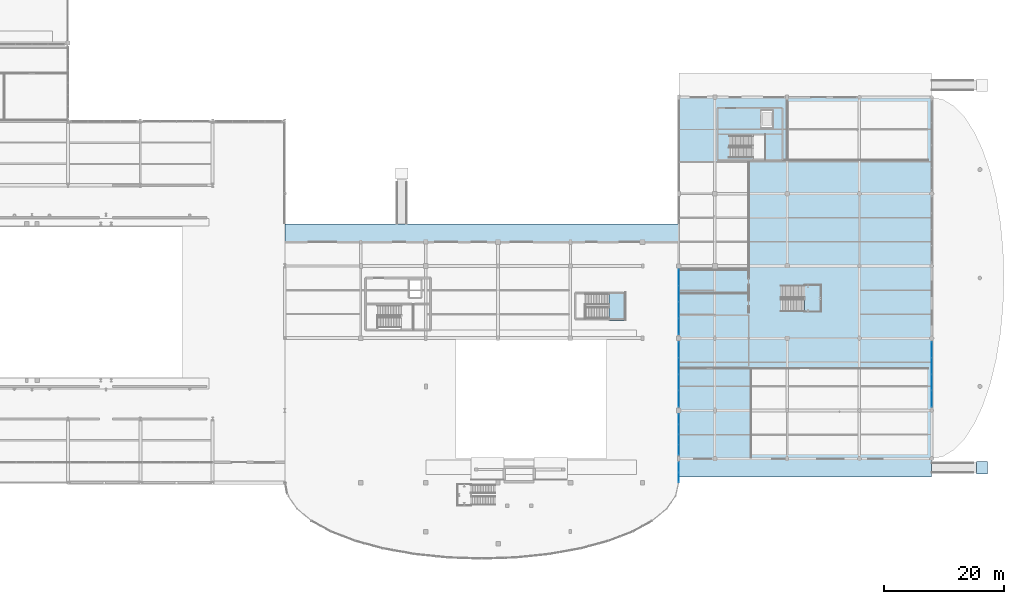
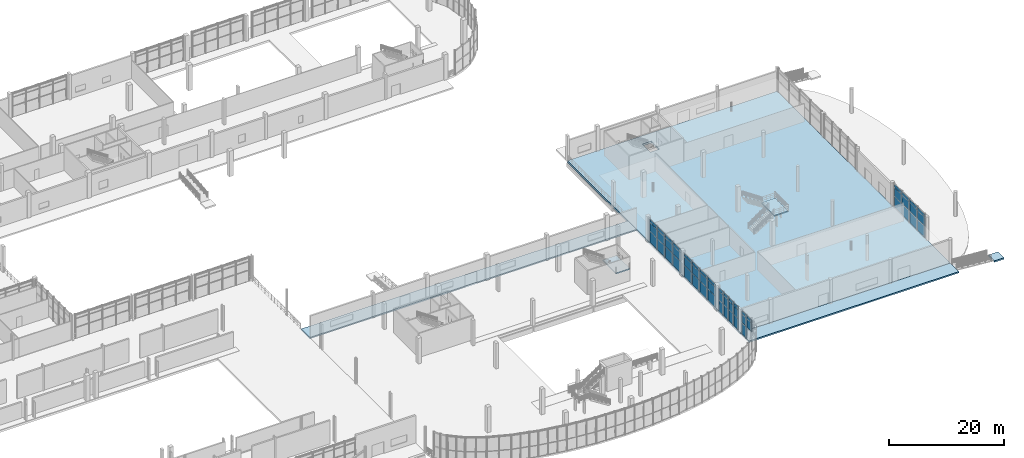
# One storey, part 53 of 85: 53 plates, 6 slabs, 7 elements without a shape of their own.
"""IFC4 building model written with IfcOpenShell, lengths in metres."""

from ifc_helpers import new_model, si_unit, direction, frame, origin, origin_2d, place, context, subcontext, project, spatial, polyline, rectangle, outline, extrude, material, layer, layer_set, type_object, element, aggregate, save


model = new_model("IFC4")

# Units and contexts
model_context = context("Model", 3, precision=1e-05, world=origin(), true_north=direction((0.0, 1.0)))
body_context = subcontext(model_context, "Body", "Model", "MODEL_VIEW")
ifc_project = project(units=[si_unit("LENGTHUNIT", "METRE"), si_unit("AREAUNIT", "SQUARE_METRE"), si_unit("VOLUMEUNIT", "CUBIC_METRE"), si_unit("PLANEANGLEUNIT", "RADIAN"), si_unit("MASSUNIT", "GRAM", prefix="KILO"), si_unit("THERMODYNAMICTEMPERATUREUNIT", "KELVIN"), si_unit("POWERUNIT", "WATT")], contexts=[model_context])

# Site, building, storey
site_placement = place(None, origin())
site = spatial("IfcSite", under=ifc_project, at=site_placement, CompositionType="ELEMENT")
building_placement = place(site_placement, origin())
building = spatial("IfcBuilding", under=site, at=building_placement, Name="Solmara Park Aquatics Centre", CompositionType="ELEMENT")
storey_placement = place(building_placement, origin())
storey = spatial("IfcBuildingStorey", under=building, at=storey_placement, Name="L00", CompositionType="ELEMENT", Elevation=0.0)

# Curtain wall, plates
ifc_material_1 = material(Name="Anodised Aluminium Curtain Wall Framing", Category="aluminium")
curtain_wall_type = type_object("IfcCurtainWallType", Name="ARC-CW-SYS02", PredefinedType="USERDEFINED", material=ifc_material_1)
curtain_wall_1_placement = place(storey_placement, origin())
curtain_wall_1 = element("IfcCurtainWall", 1, at=curtain_wall_1_placement, inside=storey, type_object=curtain_wall_type, Name="Curtain Wall CW-073", ObjectType="CURTAIN WALL", PredefinedType="USERDEFINED")
ifc_material_2 = material(Name="Double Low-E Solar-Control Glazing", Category="glass")
ifc_layer_1 = layer(ifc_material_2, 0.035888671875, Name="Double Low-E Solar-Control Glazing")
ifc_layer_set_1 = layer_set([ifc_layer_1], Name="Double Low-E Solar-Control Glazing")
plate_type_1 = type_object("IfcPlateType", Name="ARC-CWP-GLZ36-1600x1800", PredefinedType="CURTAIN_PANEL", material=ifc_layer_set_1)
plate_1_placement = place(storey_placement, frame((162.0, 13.4599609375, 2.48974609375), z_axis=(0.0, 0.0, 1.0), x_axis=(0.0, 1.0, 0.0)))
plate_1 = element("IfcPlate", 2, at=plate_1_placement, type_object=plate_type_1, Name="CW-073 panel 2", PredefinedType="CURTAIN_PANEL", context=body_context, shape_type="SweptSolid", body=[
    extrude(rectangle(XDim=1.60009765625, YDim=0.035888671875, at=origin_2d()), origin(), (0.0, 0.0, 1.0), 1.800048828125),
])
plate_2_placement = place(storey_placement, frame((162.0, 15.139892578125, 2.48974609375), z_axis=(0.0, 0.0, 1.0), x_axis=(0.0, 1.0, 0.0)))
plate_2 = element("IfcPlate", 3, at=plate_2_placement, type_object=plate_type_1, Name="CW-073 panel 5", PredefinedType="CURTAIN_PANEL", context=body_context, shape_type="SweptSolid", body=[
    extrude(rectangle(XDim=1.60009765625, YDim=0.035888671875, at=origin_2d()), origin(), (0.0, 0.0, 1.0), 1.800048828125),
])
ifc_layer_2 = layer(ifc_material_2, 0.035888671875, Name="Double Low-E Solar-Control Glazing")
ifc_layer_set_2 = layer_set([ifc_layer_2], Name="Double Low-E Solar-Control Glazing")
plate_type_2 = type_object("IfcPlateType", Name="ARC-CWP-GLZ36-1600x2320", PredefinedType="CURTAIN_PANEL", material=ifc_layer_set_2)
plate_3_placement = place(storey_placement, frame((162.0, 15.139892578125, 0.080078125), z_axis=(0.0, 0.0, 1.0), x_axis=(0.0, 1.0, 0.0)))
plate_3 = element("IfcPlate", 4, at=plate_3_placement, type_object=plate_type_2, Name="CW-073 panel 4", PredefinedType="CURTAIN_PANEL", context=body_context, shape_type="SweptSolid", body=[
    extrude(rectangle(XDim=1.60009765625, YDim=0.035888671875, at=origin_2d()), origin(), (0.0, 0.0, 1.0), 2.330078125),
])

curtain_wall_2_placement = place(storey_placement, origin())
curtain_wall_2 = element("IfcCurtainWall", 5, at=curtain_wall_2_placement, inside=storey, type_object=curtain_wall_type, Name="Curtain Wall CW-074", ObjectType="CURTAIN WALL", PredefinedType="USERDEFINED")
ifc_layer_3 = layer(ifc_material_2, 0.035888671875, Name="Double Low-E Solar-Control Glazing")
ifc_layer_set_3 = layer_set([ifc_layer_3], Name="Double Low-E Solar-Control Glazing")
plate_type_3 = type_object("IfcPlateType", Name="ARC-CWP-GLZ36-1620x1800", PredefinedType="CURTAIN_PANEL", material=ifc_layer_set_3)
plate_4_placement = place(storey_placement, frame((162.0, 18.030029296875, 2.48974609375), z_axis=(0.0, 0.0, 1.0), x_axis=(0.0, 1.0, 0.0)))
plate_4 = element("IfcPlate", 6, at=plate_4_placement, type_object=plate_type_3, Name="CW-074 panel 2", PredefinedType="CURTAIN_PANEL", context=body_context, shape_type="SweptSolid", body=[
    extrude(rectangle(XDim=1.6201171875, YDim=0.035888671875, at=origin_2d()), origin(), (0.0, 0.0, 1.0), 1.800048828125),
])
plate_5_placement = place(storey_placement, frame((162.0, 19.72998046875, 2.48974609375), z_axis=(0.0, 0.0, 1.0), x_axis=(0.0, 1.0, 0.0)))
plate_5 = element("IfcPlate", 7, at=plate_5_placement, type_object=plate_type_3, Name="CW-074 panel 5", PredefinedType="CURTAIN_PANEL", context=body_context, shape_type="SweptSolid", body=[
    extrude(rectangle(XDim=1.6201171875, YDim=0.035888671875, at=origin_2d()), origin(), (0.0, 0.0, 1.0), 1.800048828125),
])
plate_6_placement = place(storey_placement, frame((162.0, 21.429931640625, 2.48974609375), z_axis=(0.0, 0.0, 1.0), x_axis=(0.0, 1.0, 0.0)))
plate_6 = element("IfcPlate", 8, at=plate_6_placement, type_object=plate_type_3, Name="CW-074 panel 8", PredefinedType="CURTAIN_PANEL", context=body_context, shape_type="SweptSolid", body=[
    extrude(rectangle(XDim=1.6201171875, YDim=0.035888671875, at=origin_2d()), origin(), (0.0, 0.0, 1.0), 1.800048828125),
])
plate_7_placement = place(storey_placement, frame((162.0, 23.1298828125, 2.48974609375), z_axis=(0.0, 0.0, 1.0), x_axis=(0.0, 1.0, 0.0)))
plate_7 = element("IfcPlate", 9, at=plate_7_placement, type_object=plate_type_3, Name="CW-074 panel 11", PredefinedType="CURTAIN_PANEL", context=body_context, shape_type="SweptSolid", body=[
    extrude(rectangle(XDim=1.6201171875, YDim=0.035888671875, at=origin_2d()), origin(), (0.0, 0.0, 1.0), 1.800048828125),
])
ifc_layer_4 = layer(ifc_material_2, 0.035888671875, Name="Double Low-E Solar-Control Glazing")
ifc_layer_set_4 = layer_set([ifc_layer_4], Name="Double Low-E Solar-Control Glazing")
plate_type_4 = type_object("IfcPlateType", Name="ARC-CWP-GLZ36-1620x2320", PredefinedType="CURTAIN_PANEL", material=ifc_layer_set_4)
plate_8_placement = place(storey_placement, frame((162.0, 18.030029296875, 0.080078125), z_axis=(0.0, 0.0, 1.0), x_axis=(0.0, 1.0, 0.0)))
plate_8 = element("IfcPlate", 10, at=plate_8_placement, type_object=plate_type_4, Name="CW-074 panel 1", PredefinedType="CURTAIN_PANEL", context=body_context, shape_type="SweptSolid", body=[
    extrude(rectangle(XDim=1.6201171875, YDim=0.035888671875, at=origin_2d()), origin(), (0.0, 0.0, 1.0), 2.330078125),
])
plate_9_placement = place(storey_placement, frame((162.0, 19.72998046875, 0.080078125), z_axis=(0.0, 0.0, 1.0), x_axis=(0.0, 1.0, 0.0)))
plate_9 = element("IfcPlate", 11, at=plate_9_placement, type_object=plate_type_4, Name="CW-074 panel 4", PredefinedType="CURTAIN_PANEL", context=body_context, shape_type="SweptSolid", body=[
    extrude(rectangle(XDim=1.6201171875, YDim=0.035888671875, at=origin_2d()), origin(), (0.0, 0.0, 1.0), 2.330078125),
])
plate_10_placement = place(storey_placement, frame((162.0, 21.429931640625, 0.080078125), z_axis=(0.0, 0.0, 1.0), x_axis=(0.0, 1.0, 0.0)))
plate_10 = element("IfcPlate", 12, at=plate_10_placement, type_object=plate_type_4, Name="CW-074 panel 7", PredefinedType="CURTAIN_PANEL", context=body_context, shape_type="SweptSolid", body=[
    extrude(rectangle(XDim=1.6201171875, YDim=0.035888671875, at=origin_2d()), origin(), (0.0, 0.0, 1.0), 2.330078125),
])
plate_11_placement = place(storey_placement, frame((162.0, 23.1298828125, 0.080078125), z_axis=(0.0, 0.0, 1.0), x_axis=(0.0, 1.0, 0.0)))
plate_11 = element("IfcPlate", 13, at=plate_11_placement, type_object=plate_type_4, Name="CW-074 panel 10", PredefinedType="CURTAIN_PANEL", context=body_context, shape_type="SweptSolid", body=[
    extrude(rectangle(XDim=1.6201171875, YDim=0.035888671875, at=origin_2d()), origin(), (0.0, 0.0, 1.0), 2.330078125),
])

curtain_wall_3_placement = place(storey_placement, origin())
curtain_wall_3 = element("IfcCurtainWall", 14, at=curtain_wall_3_placement, inside=storey, type_object=curtain_wall_type, Name="Curtain Wall CW-077", ObjectType="CURTAIN WALL", PredefinedType="USERDEFINED")
ifc_layer_5 = layer(ifc_material_2, 0.035888671875, Name="Double Low-E Solar-Control Glazing")
ifc_layer_set_5 = layer_set([ifc_layer_5], Name="Double Low-E Solar-Control Glazing")
plate_type_5 = type_object("IfcPlateType", Name="ARC-CWP-GLZ36-2620x1800", PredefinedType="CURTAIN_PANEL", material=ifc_layer_set_5)
plate_12_placement = place(storey_placement, frame((162.0, 26.530029296875, 2.48974609375), z_axis=(0.0, 0.0, 1.0), x_axis=(0.0, 1.0, 0.0)))
plate_12 = element("IfcPlate", 15, at=plate_12_placement, type_object=plate_type_5, Name="CW-077 panel 2", PredefinedType="CURTAIN_PANEL", context=body_context, shape_type="SweptSolid", body=[
    extrude(rectangle(XDim=2.6201171875, YDim=0.035888671875, at=origin_2d()), origin(), (0.0, 0.0, 1.0), 1.800048828125),
])
plate_13_placement = place(storey_placement, frame((162.0, 29.22998046875, 2.48974609375), z_axis=(0.0, 0.0, 1.0), x_axis=(0.0, 1.0, 0.0)))
plate_13 = element("IfcPlate", 16, at=plate_13_placement, type_object=plate_type_5, Name="CW-077 panel 5", PredefinedType="CURTAIN_PANEL", context=body_context, shape_type="SweptSolid", body=[
    extrude(rectangle(XDim=2.6201171875, YDim=0.035888671875, at=origin_2d()), origin(), (0.0, 0.0, 1.0), 1.800048828125),
])
plate_14_placement = place(storey_placement, frame((162.0, 31.929931640625, 2.48974609375), z_axis=(0.0, 0.0, 1.0), x_axis=(0.0, 1.0, 0.0)))
plate_14 = element("IfcPlate", 17, at=plate_14_placement, type_object=plate_type_5, Name="CW-077 panel 8", PredefinedType="CURTAIN_PANEL", context=body_context, shape_type="SweptSolid", body=[
    extrude(rectangle(XDim=2.6201171875, YDim=0.035888671875, at=origin_2d()), origin(), (0.0, 0.0, 1.0), 1.800048828125),
])
plate_15_placement = place(storey_placement, frame((162.0, 34.6298828125, 2.48974609375), z_axis=(0.0, 0.0, 1.0), x_axis=(0.0, 1.0, 0.0)))
plate_15 = element("IfcPlate", 18, at=plate_15_placement, type_object=plate_type_5, Name="CW-077 panel 11", PredefinedType="CURTAIN_PANEL", context=body_context, shape_type="SweptSolid", body=[
    extrude(rectangle(XDim=2.6201171875, YDim=0.035888671875, at=origin_2d()), origin(), (0.0, 0.0, 1.0), 1.800048828125),
])

curtain_wall_4_placement = place(storey_placement, origin())
curtain_wall_4 = element("IfcCurtainWall", 19, at=curtain_wall_4_placement, inside=storey, type_object=curtain_wall_type, Name="Curtain Wall CW-080", ObjectType="CURTAIN WALL", PredefinedType="USERDEFINED")
plate_16_placement = place(storey_placement, frame((162.0, 38.530029296875, 2.48974609375), z_axis=(0.0, 0.0, 1.0), x_axis=(0.0, 1.0, 0.0)))
plate_16 = element("IfcPlate", 20, at=plate_16_placement, type_object=plate_type_5, Name="CW-080 panel 2", PredefinedType="CURTAIN_PANEL", context=body_context, shape_type="SweptSolid", body=[
    extrude(rectangle(XDim=2.6201171875, YDim=0.035888671875, at=origin_2d()), origin(), (0.0, 0.0, 1.0), 1.800048828125),
])
plate_17_placement = place(storey_placement, frame((162.0, 41.22998046875, 2.48974609375), z_axis=(0.0, 0.0, 1.0), x_axis=(0.0, 1.0, 0.0)))
plate_17 = element("IfcPlate", 21, at=plate_17_placement, type_object=plate_type_5, Name="CW-080 panel 5", PredefinedType="CURTAIN_PANEL", context=body_context, shape_type="SweptSolid", body=[
    extrude(rectangle(XDim=2.6201171875, YDim=0.035888671875, at=origin_2d()), origin(), (0.0, 0.0, 1.0), 1.800048828125),
])
plate_18_placement = place(storey_placement, frame((162.0, 43.929931640625, 2.48974609375), z_axis=(0.0, 0.0, 1.0), x_axis=(0.0, 1.0, 0.0)))
plate_18 = element("IfcPlate", 22, at=plate_18_placement, type_object=plate_type_5, Name="CW-080 panel 8", PredefinedType="CURTAIN_PANEL", context=body_context, shape_type="SweptSolid", body=[
    extrude(rectangle(XDim=2.6201171875, YDim=0.035888671875, at=origin_2d()), origin(), (0.0, 0.0, 1.0), 1.800048828125),
])
plate_19_placement = place(storey_placement, frame((162.0, 46.6298828125, 2.48974609375), z_axis=(0.0, 0.0, 1.0), x_axis=(0.0, 1.0, 0.0)))
plate_19 = element("IfcPlate", 23, at=plate_19_placement, type_object=plate_type_5, Name="CW-080 panel 11", PredefinedType="CURTAIN_PANEL", context=body_context, shape_type="SweptSolid", body=[
    extrude(rectangle(XDim=2.6201171875, YDim=0.035888671875, at=origin_2d()), origin(), (0.0, 0.0, 1.0), 1.800048828125),
])

curtain_wall_5_placement = place(storey_placement, origin())
curtain_wall_5 = element("IfcCurtainWall", 24, at=curtain_wall_5_placement, inside=storey, type_object=curtain_wall_type, Name="Curtain Wall CW-091", ObjectType="CURTAIN WALL", PredefinedType="USERDEFINED")
plate_20_placement = place(storey_placement, frame((204.0, 26.530029296875, 2.48974609375), z_axis=(0.0, 0.0, 1.0), x_axis=(0.0, 1.0, 0.0)))
plate_20 = element("IfcPlate", 25, at=plate_20_placement, type_object=plate_type_5, Name="CW-091 panel 2", PredefinedType="CURTAIN_PANEL", context=body_context, shape_type="SweptSolid", body=[
    extrude(rectangle(XDim=2.6201171875, YDim=0.035888671875, at=origin_2d()), origin(), (0.0, 0.0, 1.0), 1.800048828125),
])
plate_21_placement = place(storey_placement, frame((204.0, 29.22998046875, 2.48974609375), z_axis=(0.0, 0.0, 1.0), x_axis=(0.0, 1.0, 0.0)))
plate_21 = element("IfcPlate", 26, at=plate_21_placement, type_object=plate_type_5, Name="CW-091 panel 5", PredefinedType="CURTAIN_PANEL", context=body_context, shape_type="SweptSolid", body=[
    extrude(rectangle(XDim=2.6201171875, YDim=0.035888671875, at=origin_2d()), origin(), (0.0, 0.0, 1.0), 1.800048828125),
])
plate_22_placement = place(storey_placement, frame((204.0, 31.929931640625, 2.48974609375), z_axis=(0.0, 0.0, 1.0), x_axis=(0.0, 1.0, 0.0)))
plate_22 = element("IfcPlate", 27, at=plate_22_placement, type_object=plate_type_5, Name="CW-091 panel 8", PredefinedType="CURTAIN_PANEL", context=body_context, shape_type="SweptSolid", body=[
    extrude(rectangle(XDim=2.6201171875, YDim=0.035888671875, at=origin_2d()), origin(), (0.0, 0.0, 1.0), 1.800048828125),
])
plate_23_placement = place(storey_placement, frame((204.0, 34.6298828125, 2.48974609375), z_axis=(0.0, 0.0, 1.0), x_axis=(0.0, 1.0, 0.0)))
plate_23 = element("IfcPlate", 28, at=plate_23_placement, type_object=plate_type_5, Name="CW-091 panel 11", PredefinedType="CURTAIN_PANEL", context=body_context, shape_type="SweptSolid", body=[
    extrude(rectangle(XDim=2.6201171875, YDim=0.035888671875, at=origin_2d()), origin(), (0.0, 0.0, 1.0), 1.800048828125),
])

# Plate
ifc_layer_6 = layer(ifc_material_2, 0.035888671875, Name="Double Low-E Solar-Control Glazing")
ifc_layer_set_6 = layer_set([ifc_layer_6], Name="Double Low-E Solar-Control Glazing")
plate_type_6 = type_object("IfcPlateType", Name="ARC-CWP-GLZ36-2620x2320", PredefinedType="CURTAIN_PANEL", material=ifc_layer_set_6)
plate_24_placement = place(storey_placement, frame((162.0, 26.530029296875, 0.080078125), z_axis=(0.0, 0.0, 1.0), x_axis=(0.0, 1.0, 0.0)))
plate_24 = element("IfcPlate", 29, at=plate_24_placement, type_object=plate_type_6, Name="CW-077 panel 1", PredefinedType="CURTAIN_PANEL", context=body_context, shape_type="SweptSolid", body=[
    extrude(rectangle(XDim=2.6201171875, YDim=0.035888671875, at=origin_2d()), origin(), (0.0, 0.0, 1.0), 2.330078125),
])

plate_25_placement = place(storey_placement, frame((162.0, 29.22998046875, 0.080078125), z_axis=(0.0, 0.0, 1.0), x_axis=(0.0, 1.0, 0.0)))
plate_25 = element("IfcPlate", 30, at=plate_25_placement, type_object=plate_type_6, Name="CW-077 panel 4", PredefinedType="CURTAIN_PANEL", context=body_context, shape_type="SweptSolid", body=[
    extrude(rectangle(XDim=2.6201171875, YDim=0.035888671875, at=origin_2d()), origin(), (0.0, 0.0, 1.0), 2.330078125),
])

plate_26_placement = place(storey_placement, frame((162.0, 31.929931640625, 0.080078125), z_axis=(0.0, 0.0, 1.0), x_axis=(0.0, 1.0, 0.0)))
plate_26 = element("IfcPlate", 31, at=plate_26_placement, type_object=plate_type_6, Name="CW-077 panel 7", PredefinedType="CURTAIN_PANEL", context=body_context, shape_type="SweptSolid", body=[
    extrude(rectangle(XDim=2.6201171875, YDim=0.035888671875, at=origin_2d()), origin(), (0.0, 0.0, 1.0), 2.330078125),
])

plate_27_placement = place(storey_placement, frame((162.0, 34.6298828125, 0.080078125), z_axis=(0.0, 0.0, 1.0), x_axis=(0.0, 1.0, 0.0)))
plate_27 = element("IfcPlate", 32, at=plate_27_placement, type_object=plate_type_6, Name="CW-077 panel 10", PredefinedType="CURTAIN_PANEL", context=body_context, shape_type="SweptSolid", body=[
    extrude(rectangle(XDim=2.6201171875, YDim=0.035888671875, at=origin_2d()), origin(), (0.0, 0.0, 1.0), 2.330078125),
])

plate_28_placement = place(storey_placement, frame((162.0, 38.530029296875, 0.080078125), z_axis=(0.0, 0.0, 1.0), x_axis=(0.0, 1.0, 0.0)))
plate_28 = element("IfcPlate", 33, at=plate_28_placement, type_object=plate_type_6, Name="CW-080 panel 1", PredefinedType="CURTAIN_PANEL", context=body_context, shape_type="SweptSolid", body=[
    extrude(rectangle(XDim=2.6201171875, YDim=0.035888671875, at=origin_2d()), origin(), (0.0, 0.0, 1.0), 2.330078125),
])

plate_29_placement = place(storey_placement, frame((162.0, 41.22998046875, 0.080078125), z_axis=(0.0, 0.0, 1.0), x_axis=(0.0, 1.0, 0.0)))
plate_29 = element("IfcPlate", 34, at=plate_29_placement, type_object=plate_type_6, Name="CW-080 panel 4", PredefinedType="CURTAIN_PANEL", context=body_context, shape_type="SweptSolid", body=[
    extrude(rectangle(XDim=2.6201171875, YDim=0.035888671875, at=origin_2d()), origin(), (0.0, 0.0, 1.0), 2.330078125),
])

plate_30_placement = place(storey_placement, frame((162.0, 43.929931640625, 0.080078125), z_axis=(0.0, 0.0, 1.0), x_axis=(0.0, 1.0, 0.0)))
plate_30 = element("IfcPlate", 35, at=plate_30_placement, type_object=plate_type_6, Name="CW-080 panel 7", PredefinedType="CURTAIN_PANEL", context=body_context, shape_type="SweptSolid", body=[
    extrude(rectangle(XDim=2.6201171875, YDim=0.035888671875, at=origin_2d()), origin(), (0.0, 0.0, 1.0), 2.330078125),
])

plate_31_placement = place(storey_placement, frame((162.0, 46.6298828125, 0.080078125), z_axis=(0.0, 0.0, 1.0), x_axis=(0.0, 1.0, 0.0)))
plate_31 = element("IfcPlate", 36, at=plate_31_placement, type_object=plate_type_6, Name="CW-080 panel 10", PredefinedType="CURTAIN_PANEL", context=body_context, shape_type="SweptSolid", body=[
    extrude(rectangle(XDim=2.6201171875, YDim=0.035888671875, at=origin_2d()), origin(), (0.0, 0.0, 1.0), 2.330078125),
])

plate_32_placement = place(storey_placement, frame((204.0, 26.530029296875, 0.080078125), z_axis=(0.0, 0.0, 1.0), x_axis=(0.0, 1.0, 0.0)))
plate_32 = element("IfcPlate", 37, at=plate_32_placement, type_object=plate_type_6, Name="CW-091 panel 1", PredefinedType="CURTAIN_PANEL", context=body_context, shape_type="SweptSolid", body=[
    extrude(rectangle(XDim=2.6201171875, YDim=0.035888671875, at=origin_2d()), origin(), (0.0, 0.0, 1.0), 2.330078125),
])

plate_33_placement = place(storey_placement, frame((204.0, 29.22998046875, 0.080078125), z_axis=(0.0, 0.0, 1.0), x_axis=(0.0, 1.0, 0.0)))
plate_33 = element("IfcPlate", 38, at=plate_33_placement, type_object=plate_type_6, Name="CW-091 panel 4", PredefinedType="CURTAIN_PANEL", context=body_context, shape_type="SweptSolid", body=[
    extrude(rectangle(XDim=2.6201171875, YDim=0.035888671875, at=origin_2d()), origin(), (0.0, 0.0, 1.0), 2.330078125),
])

plate_34_placement = place(storey_placement, frame((204.0, 31.929931640625, 0.080078125), z_axis=(0.0, 0.0, 1.0), x_axis=(0.0, 1.0, 0.0)))
plate_34 = element("IfcPlate", 39, at=plate_34_placement, type_object=plate_type_6, Name="CW-091 panel 7", PredefinedType="CURTAIN_PANEL", context=body_context, shape_type="SweptSolid", body=[
    extrude(rectangle(XDim=2.6201171875, YDim=0.035888671875, at=origin_2d()), origin(), (0.0, 0.0, 1.0), 2.330078125),
])

plate_35_placement = place(storey_placement, frame((204.0, 34.6298828125, 0.080078125), z_axis=(0.0, 0.0, 1.0), x_axis=(0.0, 1.0, 0.0)))
plate_35 = element("IfcPlate", 40, at=plate_35_placement, type_object=plate_type_6, Name="CW-091 panel 10", PredefinedType="CURTAIN_PANEL", context=body_context, shape_type="SweptSolid", body=[
    extrude(rectangle(XDim=2.6201171875, YDim=0.035888671875, at=origin_2d()), origin(), (0.0, 0.0, 1.0), 2.330078125),
])

ifc_material_3 = material(Name="Golden-Ochre Enamelled Aluminium Fascia Panel", Category="aluminium")
ifc_layer_7 = layer(ifc_material_3, 0.0400390625, Name="Golden-Ochre Enamelled Aluminium Fascia Panel")
ifc_layer_set_7 = layer_set([ifc_layer_7], Name="Golden-Ochre Enamelled Aluminium Fascia Panel")
plate_type_7 = type_object("IfcPlateType", Name="ARC-CWP-OCH40-2620x620", PredefinedType="CURTAIN_PANEL", material=ifc_layer_set_7)
plate_36_placement = place(storey_placement, frame((162.0, 38.530029296875, 4.3701171875), z_axis=(0.0, 0.0, 1.0), x_axis=(0.0, 1.0, 0.0)))
plate_36 = element("IfcPlate", 41, at=plate_36_placement, type_object=plate_type_7, Name="CW-080 panel 3", PredefinedType="CURTAIN_PANEL", context=body_context, shape_type="SweptSolid", body=[
    extrude(rectangle(XDim=2.6201171875, YDim=0.0400390625, at=origin_2d()), origin(), (0.0, 0.0, 1.0), 0.6298828125),
])

plate_37_placement = place(storey_placement, frame((162.0, 41.22998046875, 4.3701171875), z_axis=(0.0, 0.0, 1.0), x_axis=(0.0, 1.0, 0.0)))
plate_37 = element("IfcPlate", 42, at=plate_37_placement, type_object=plate_type_7, Name="CW-080 panel 6", PredefinedType="CURTAIN_PANEL", context=body_context, shape_type="SweptSolid", body=[
    extrude(rectangle(XDim=2.6201171875, YDim=0.0400390625, at=origin_2d()), origin(), (0.0, 0.0, 1.0), 0.6298828125),
])

plate_38_placement = place(storey_placement, frame((162.0, 43.929931640625, 4.3701171875), z_axis=(0.0, 0.0, 1.0), x_axis=(0.0, 1.0, 0.0)))
plate_38 = element("IfcPlate", 43, at=plate_38_placement, type_object=plate_type_7, Name="CW-080 panel 9", PredefinedType="CURTAIN_PANEL", context=body_context, shape_type="SweptSolid", body=[
    extrude(rectangle(XDim=2.6201171875, YDim=0.0400390625, at=origin_2d()), origin(), (0.0, 0.0, 1.0), 0.6298828125),
])

plate_39_placement = place(storey_placement, frame((162.0, 46.6298828125, 4.3701171875), z_axis=(0.0, 0.0, 1.0), x_axis=(0.0, 1.0, 0.0)))
plate_39 = element("IfcPlate", 44, at=plate_39_placement, type_object=plate_type_7, Name="CW-080 panel 12", PredefinedType="CURTAIN_PANEL", context=body_context, shape_type="SweptSolid", body=[
    extrude(rectangle(XDim=2.6201171875, YDim=0.0400390625, at=origin_2d()), origin(), (0.0, 0.0, 1.0), 0.6298828125),
])

aggregate(curtain_wall_4, [plate_28, plate_16, plate_36, plate_29, plate_17, plate_37, plate_30, plate_18, plate_38, plate_31, plate_19, plate_39])

ifc_material_4 = material(Name="Insulated Anodised Aluminium Spandrel Panel", Category="aluminium")
ifc_layer_8 = layer(ifc_material_4, 0.0439453125, Name="Insulated Anodised Aluminium Spandrel Panel")
ifc_layer_set_8 = layer_set([ifc_layer_8], Name="Insulated Anodised Aluminium Spandrel Panel")
plate_type_8 = type_object("IfcPlateType", Name="ARC-CWP-SPN44-1600x620", PredefinedType="CURTAIN_PANEL", material=ifc_layer_set_8)
plate_40_placement = place(storey_placement, frame((162.0, 13.4599609375, 4.3701171875), z_axis=(0.0, 0.0, 1.0), x_axis=(0.0, 1.0, 0.0)))
plate_40 = element("IfcPlate", 45, at=plate_40_placement, type_object=plate_type_8, Name="CW-073 panel 3", PredefinedType="CURTAIN_PANEL", context=body_context, shape_type="SweptSolid", body=[
    extrude(rectangle(XDim=1.60009765625, YDim=0.0439453125, at=origin_2d()), origin(), (0.0, 0.0, 1.0), 0.6298828125),
])

plate_41_placement = place(storey_placement, frame((162.0, 15.139892578125, 4.3701171875), z_axis=(0.0, 0.0, 1.0), x_axis=(0.0, 1.0, 0.0)))
plate_41 = element("IfcPlate", 46, at=plate_41_placement, type_object=plate_type_8, Name="CW-073 panel 6", PredefinedType="CURTAIN_PANEL", context=body_context, shape_type="SweptSolid", body=[
    extrude(rectangle(XDim=1.60009765625, YDim=0.0439453125, at=origin_2d()), origin(), (0.0, 0.0, 1.0), 0.6298828125),
])

aggregate(curtain_wall_1, [plate_1, plate_40, plate_3, plate_2, plate_41])

ifc_layer_9 = layer(ifc_material_4, 0.0439453125, Name="Insulated Anodised Aluminium Spandrel Panel")
ifc_layer_set_9 = layer_set([ifc_layer_9], Name="Insulated Anodised Aluminium Spandrel Panel")
plate_type_9 = type_object("IfcPlateType", Name="ARC-CWP-SPN44-1620x620", PredefinedType="CURTAIN_PANEL", material=ifc_layer_set_9)
plate_42_placement = place(storey_placement, frame((162.0, 18.030029296875, 4.3701171875), z_axis=(0.0, 0.0, 1.0), x_axis=(0.0, 1.0, 0.0)))
plate_42 = element("IfcPlate", 47, at=plate_42_placement, type_object=plate_type_9, Name="CW-074 panel 3", PredefinedType="CURTAIN_PANEL", context=body_context, shape_type="SweptSolid", body=[
    extrude(rectangle(XDim=1.6201171875, YDim=0.0439453125, at=origin_2d()), origin(), (0.0, 0.0, 1.0), 0.6298828125),
])

plate_43_placement = place(storey_placement, frame((162.0, 19.72998046875, 4.3701171875), z_axis=(0.0, 0.0, 1.0), x_axis=(0.0, 1.0, 0.0)))
plate_43 = element("IfcPlate", 48, at=plate_43_placement, type_object=plate_type_9, Name="CW-074 panel 6", PredefinedType="CURTAIN_PANEL", context=body_context, shape_type="SweptSolid", body=[
    extrude(rectangle(XDim=1.6201171875, YDim=0.0439453125, at=origin_2d()), origin(), (0.0, 0.0, 1.0), 0.6298828125),
])

plate_44_placement = place(storey_placement, frame((162.0, 21.429931640625, 4.3701171875), z_axis=(0.0, 0.0, 1.0), x_axis=(0.0, 1.0, 0.0)))
plate_44 = element("IfcPlate", 49, at=plate_44_placement, type_object=plate_type_9, Name="CW-074 panel 9", PredefinedType="CURTAIN_PANEL", context=body_context, shape_type="SweptSolid", body=[
    extrude(rectangle(XDim=1.6201171875, YDim=0.0439453125, at=origin_2d()), origin(), (0.0, 0.0, 1.0), 0.6298828125),
])

plate_45_placement = place(storey_placement, frame((162.0, 23.1298828125, 4.3701171875), z_axis=(0.0, 0.0, 1.0), x_axis=(0.0, 1.0, 0.0)))
plate_45 = element("IfcPlate", 50, at=plate_45_placement, type_object=plate_type_9, Name="CW-074 panel 12", PredefinedType="CURTAIN_PANEL", context=body_context, shape_type="SweptSolid", body=[
    extrude(rectangle(XDim=1.6201171875, YDim=0.0439453125, at=origin_2d()), origin(), (0.0, 0.0, 1.0), 0.6298828125),
])

aggregate(curtain_wall_2, [plate_8, plate_4, plate_42, plate_9, plate_5, plate_43, plate_10, plate_6, plate_44, plate_11, plate_7, plate_45])

ifc_layer_10 = layer(ifc_material_4, 0.0439453125, Name="Insulated Anodised Aluminium Spandrel Panel")
ifc_layer_set_10 = layer_set([ifc_layer_10], Name="Insulated Anodised Aluminium Spandrel Panel")
plate_type_10 = type_object("IfcPlateType", Name="ARC-CWP-SPN44-2620x620", PredefinedType="CURTAIN_PANEL", material=ifc_layer_set_10)
plate_46_placement = place(storey_placement, frame((162.0, 26.530029296875, 4.3701171875), z_axis=(0.0, 0.0, 1.0), x_axis=(0.0, 1.0, 0.0)))
plate_46 = element("IfcPlate", 51, at=plate_46_placement, type_object=plate_type_10, Name="CW-077 panel 3", PredefinedType="CURTAIN_PANEL", context=body_context, shape_type="SweptSolid", body=[
    extrude(rectangle(XDim=2.6201171875, YDim=0.0439453125, at=origin_2d()), origin(), (0.0, 0.0, 1.0), 0.6298828125),
])

plate_47_placement = place(storey_placement, frame((162.0, 29.22998046875, 4.3701171875), z_axis=(0.0, 0.0, 1.0), x_axis=(0.0, 1.0, 0.0)))
plate_47 = element("IfcPlate", 52, at=plate_47_placement, type_object=plate_type_10, Name="CW-077 panel 6", PredefinedType="CURTAIN_PANEL", context=body_context, shape_type="SweptSolid", body=[
    extrude(rectangle(XDim=2.6201171875, YDim=0.0439453125, at=origin_2d()), origin(), (0.0, 0.0, 1.0), 0.6298828125),
])

plate_48_placement = place(storey_placement, frame((162.0, 31.929931640625, 4.3701171875), z_axis=(0.0, 0.0, 1.0), x_axis=(0.0, 1.0, 0.0)))
plate_48 = element("IfcPlate", 53, at=plate_48_placement, type_object=plate_type_10, Name="CW-077 panel 9", PredefinedType="CURTAIN_PANEL", context=body_context, shape_type="SweptSolid", body=[
    extrude(rectangle(XDim=2.6201171875, YDim=0.0439453125, at=origin_2d()), origin(), (0.0, 0.0, 1.0), 0.6298828125),
])

plate_49_placement = place(storey_placement, frame((162.0, 34.6298828125, 4.3701171875), z_axis=(0.0, 0.0, 1.0), x_axis=(0.0, 1.0, 0.0)))
plate_49 = element("IfcPlate", 54, at=plate_49_placement, type_object=plate_type_10, Name="CW-077 panel 12", PredefinedType="CURTAIN_PANEL", context=body_context, shape_type="SweptSolid", body=[
    extrude(rectangle(XDim=2.6201171875, YDim=0.0439453125, at=origin_2d()), origin(), (0.0, 0.0, 1.0), 0.6298828125),
])

aggregate(curtain_wall_3, [plate_24, plate_12, plate_46, plate_25, plate_13, plate_47, plate_26, plate_14, plate_48, plate_27, plate_15, plate_49])

plate_50_placement = place(storey_placement, frame((204.0, 26.530029296875, 4.3701171875), z_axis=(0.0, 0.0, 1.0), x_axis=(0.0, 1.0, 0.0)))
plate_50 = element("IfcPlate", 55, at=plate_50_placement, type_object=plate_type_10, Name="CW-091 panel 3", PredefinedType="CURTAIN_PANEL", context=body_context, shape_type="SweptSolid", body=[
    extrude(rectangle(XDim=2.6201171875, YDim=0.0439453125, at=origin_2d()), origin(), (0.0, 0.0, 1.0), 0.6298828125),
])

plate_51_placement = place(storey_placement, frame((204.0, 29.22998046875, 4.3701171875), z_axis=(0.0, 0.0, 1.0), x_axis=(0.0, 1.0, 0.0)))
plate_51 = element("IfcPlate", 56, at=plate_51_placement, type_object=plate_type_10, Name="CW-091 panel 6", PredefinedType="CURTAIN_PANEL", context=body_context, shape_type="SweptSolid", body=[
    extrude(rectangle(XDim=2.6201171875, YDim=0.0439453125, at=origin_2d()), origin(), (0.0, 0.0, 1.0), 0.6298828125),
])

plate_52_placement = place(storey_placement, frame((204.0, 31.929931640625, 4.3701171875), z_axis=(0.0, 0.0, 1.0), x_axis=(0.0, 1.0, 0.0)))
plate_52 = element("IfcPlate", 57, at=plate_52_placement, type_object=plate_type_10, Name="CW-091 panel 9", PredefinedType="CURTAIN_PANEL", context=body_context, shape_type="SweptSolid", body=[
    extrude(rectangle(XDim=2.6201171875, YDim=0.0439453125, at=origin_2d()), origin(), (0.0, 0.0, 1.0), 0.6298828125),
])

plate_53_placement = place(storey_placement, frame((204.0, 34.6298828125, 4.3701171875), z_axis=(0.0, 0.0, 1.0), x_axis=(0.0, 1.0, 0.0)))
plate_53 = element("IfcPlate", 58, at=plate_53_placement, type_object=plate_type_10, Name="CW-091 panel 12", PredefinedType="CURTAIN_PANEL", context=body_context, shape_type="SweptSolid", body=[
    extrude(rectangle(XDim=2.6201171875, YDim=0.0439453125, at=origin_2d()), origin(), (0.0, 0.0, 1.0), 0.6298828125),
])

aggregate(curtain_wall_5, [plate_32, plate_20, plate_50, plate_33, plate_21, plate_51, plate_34, plate_22, plate_52, plate_35, plate_23, plate_53])

# Stair, slab
ifc_material_5 = material(Name="Concrete C40/50", Category="concrete")
stair_type_1 = type_object("IfcStairType", Name="ARC-ST-ESC", PredefinedType="HALF_TURN_STAIR", material=ifc_material_5)
stair_1_placement = place(storey_placement, origin())
stair_1 = element("IfcStair", 59, at=stair_1_placement, inside=storey, type_object=stair_type_1, Name="Diving Pavilion Escape Stair ST-09 (L00-L01)", PredefinedType="HALF_TURN_STAIR")
ifc_layer_11 = layer(ifc_material_5, 0.219970703125, Name="Concrete C40/50")
ifc_layer_set_11 = layer_set([ifc_layer_11], Name="Concrete C40/50")
slab_type_1 = type_object("IfcSlabType", Name="ARC-SLB-LND220", PredefinedType="LANDING", material=ifc_layer_set_11)
slab_1_placement = place(storey_placement, frame((0.0, 0.0, 2.47998046875)))
slab_1 = element("IfcSlab", 60, at=slab_1_placement, type_object=slab_type_1, Name="ST-09 landing 1", PredefinedType="LANDING", context=body_context, shape_type="SweptSolid", body=[
    extrude(outline(polyline([(150.385009765625, 39.580078125), (153.179931640625, 39.580078125), (153.179931640625, 44.219970703125), (150.385009765625, 44.219970703125), (150.385009765625, 39.580078125)])), origin(), (0.0, 0.0, 1.0), 0.219970703125),
])
aggregate(stair_1, [slab_1])

stair_type_2 = type_object("IfcStairType", Name="ARC-ST-MON", PredefinedType="HALF_TURN_STAIR", material=ifc_material_5)
stair_2_placement = place(storey_placement, origin())
stair_2 = element("IfcStair", 61, at=stair_2_placement, inside=storey, type_object=stair_type_2, Name="Monumental Foyer Stair ST-06", PredefinedType="HALF_TURN_STAIR")
ifc_layer_12 = layer(ifc_material_5, 0.239990234375, Name="Concrete C40/50")
ifc_layer_set_12 = layer_set([ifc_layer_12], Name="Concrete C40/50")
slab_type_2 = type_object("IfcSlabType", Name="ARC-SLB-LND240", PredefinedType="LANDING", material=ifc_layer_set_12)
slab_2_placement = place(storey_placement, frame((0.0, 0.0, 2.4599609375)))
slab_2 = element("IfcSlab", 62, at=slab_2_placement, type_object=slab_type_2, Name="ST-06 landing 1", PredefinedType="LANDING", context=body_context, shape_type="SweptSolid", body=[
    extrude(outline(polyline([(182.85498046875, 40.949951171875), (185.659912109375, 40.949951171875), (185.659912109375, 45.449951171875), (182.85498046875, 45.449951171875), (182.85498046875, 40.949951171875)])), origin(), (0.0, 0.0, 1.0), 0.239990234375),
])
aggregate(stair_2, [slab_2])

# Slabs
ifc_layer_13 = layer(ifc_material_5, 0.300048828125, Name="Concrete C40/50")
ifc_layer_set_13 = layer_set([ifc_layer_13], Name="Concrete C40/50")
slab_type_3 = type_object("IfcSlabType", Name="STR-SLB-CON300", PredefinedType="FLOOR", material=ifc_layer_set_13)
slab_3_placement = place(storey_placement, frame((0.0, 0.0, -0.300048828125)))
element("IfcSlab", 63, at=slab_3_placement, inside=storey, type_object=slab_type_3, Name="Exterior Entrance Apron SLB-L00-APR-V2N", PredefinedType="FLOOR", context=body_context, shape_type="SweptSolid", body=[
    extrude(outline(polyline([(96.60009765625, 52.60009765625), (162.0, 52.60009765625), (162.0, 55.60009765625), (96.60009765625, 55.60009765625), (96.60009765625, 52.60009765625)])), origin(), (0.0, 0.0, 1.0), 0.300048828125),
])
slab_4_placement = place(storey_placement, frame((0.0, 0.0, -0.300048828125)))
element("IfcSlab", 64, at=slab_4_placement, inside=storey, type_object=slab_type_3, Name="Exterior Entrance Apron SLB-L00-APR-V3S", PredefinedType="FLOOR", context=body_context, shape_type="SweptSolid", body=[
    extrude(outline(polyline([(162.0, 13.60009765625), (204.0, 13.60009765625), (204.0, 16.60009765625), (162.0, 16.60009765625), (162.0, 13.60009765625)])), origin(), (0.0, 0.0, 1.0), 0.300048828125),
])
slab_5_placement = place(storey_placement, frame((0.0, 0.0, -0.89990234375)))
element("IfcSlab", 65, at=slab_5_placement, inside=storey, type_object=slab_type_3, Name="Main Park Entrance South Accessible Ramp Threshold Landing", PredefinedType="FLOOR", context=body_context, shape_type="SweptSolid", body=[
    extrude(outline(polyline([(211.39990234375, 14.050048828125), (213.300048828125, 14.050048828125), (213.300048828125, 16.14990234375), (211.39990234375, 16.14990234375), (211.39990234375, 14.050048828125)])), origin(), (0.0, 0.0, 1.0), 0.2998046875),
])
ifc_material_6 = material(Name="Watertight Concrete C45/55", Category="concrete")
ifc_layer_14 = layer(ifc_material_6, 0.419921875, Name="Watertight Concrete C45/55")
ifc_layer_set_14 = layer_set([ifc_layer_14], Name="Watertight Concrete C45/55")
slab_type_4 = type_object("IfcSlabType", Name="STR-SLB-DECK420", PredefinedType="FLOOR", material=ifc_layer_set_14)
slab_6_placement = place(storey_placement, frame((0.0, 0.0, -0.419921875)))
element("IfcSlab", 66, at=slab_6_placement, inside=storey, type_object=slab_type_4, Name="Entrance Foyer Pavilion L00 Floor Slab", PredefinedType="FLOOR", context=body_context, shape_type="SweptSolid", body=[
    extrude(outline(polyline([(162.0, 16.60009765625), (204.0, 16.60009765625), (204.0, 76.60009765625), (162.0, 76.60009765625), (162.0, 16.60009765625)]), holes=[polyline([(175.719970703125, 71.60009765625), (177.550048828125, 71.60009765625), (177.550048828125, 74.39990234375), (175.719970703125, 74.39990234375), (175.719970703125, 71.60009765625)])]), origin(), (0.0, 0.0, 1.0), 0.419921875),
])

save(model, "model.ifc")
